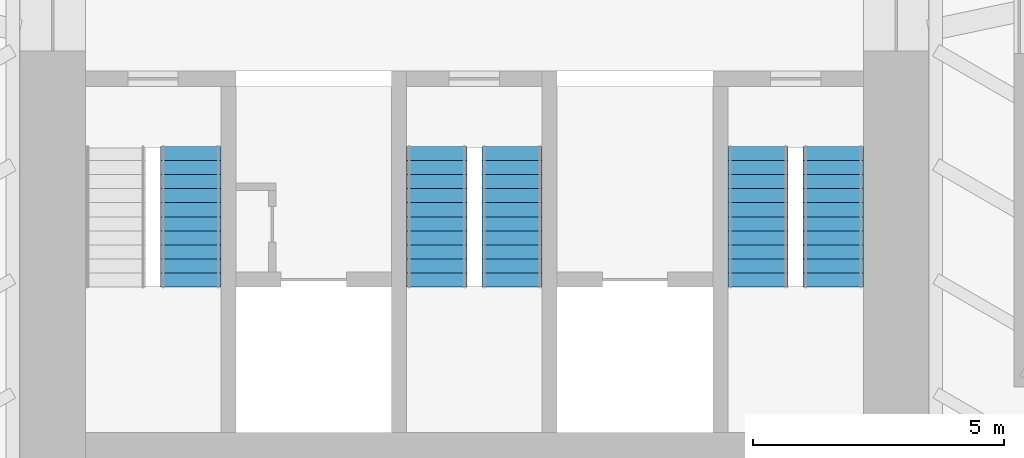
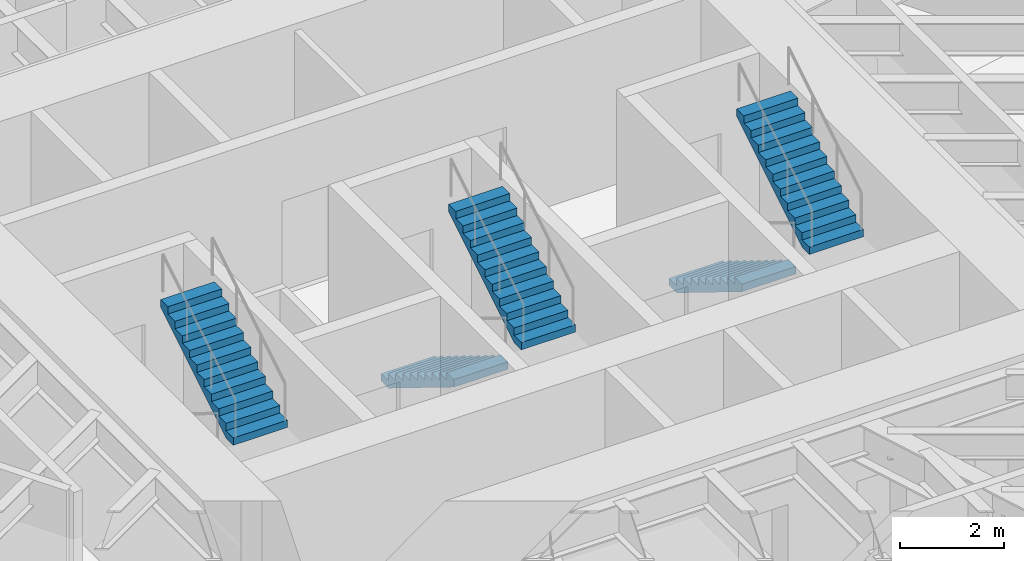
# One storey, part 16 of 17: 5 stair flights, 3 elements without a shape of their own.
"""IFC4 building model written with IfcOpenShell, lengths in metres."""

from ifc_helpers import new_model, si_unit, direction, frame, origin, place, context, subcontext, project, spatial, polyline, outline, extrude, material, type_object, element, aggregate, save


model = new_model("IFC4")

# Units and contexts
model_context = context("Model", 3, precision=1e-05, world=origin(), true_north=direction((0.0, 1.0)))
body_context = subcontext(model_context, "Body", "Model", "MODEL_VIEW")
ifc_project = project(units=[si_unit("LENGTHUNIT", "METRE"), si_unit("AREAUNIT", "SQUARE_METRE"), si_unit("VOLUMEUNIT", "CUBIC_METRE"), si_unit("PLANEANGLEUNIT", "RADIAN"), si_unit("MASSUNIT", "GRAM", prefix="KILO")], contexts=[model_context])

# Site, building, storey
site_placement = place(None, origin())
site = spatial("IfcSite", under=ifc_project, at=site_placement, CompositionType="ELEMENT")
building_placement = place(site_placement, origin())
building = spatial("IfcBuilding", under=site, at=building_placement, Name="Sandreach Pilgrim Tower", CompositionType="ELEMENT")
storey_placement = place(building_placement, frame((0.0, 0.0, 142.39990234375)))
storey = spatial("IfcBuildingStorey", under=building, at=storey_placement, Name="L35", CompositionType="ELEMENT", Elevation=142.39990234375)

# Stair, stair flight
ifc_material_1 = material(Name="Concrete 8000 psi", Category="concrete")
stair_type = type_object("IfcStairType", Name="Core exit stair", PredefinedType="HALF_TURN_STAIR", material=ifc_material_1)
stair_1_placement = place(storey_placement, origin())
stair_1 = element("IfcStair", 1, at=stair_1_placement, inside=storey, type_object=stair_type, Name="Exit stair ST1 L35", PredefinedType="HALF_TURN_STAIR")
ifc_material_2 = material(Name="Concrete 8000 psi", Category="concrete")
stair_flight_type = type_object("IfcStairFlightType", Name="Core stair flight 1200", PredefinedType="STRAIGHT", material=ifc_material_2)
stair_flight_1_placement = place(storey_placement, frame((-5.64990234375, -3.199951171875, 1.900146484375), z_axis=(0.0, 0.0, 1.0), x_axis=(0.0, 1.0, 0.0)))
stair_flight_1 = element("IfcStairFlight", 2, at=stair_flight_1_placement, type_object=stair_flight_type, Name="ST1 flight 2", NumberOfRisers=11, NumberOfTreads=10, PredefinedType="STRAIGHT", RiserHeight=0.172727273, TreadLength=0.28, context=body_context, shape_type="SweptSolid", body=[
    extrude(outline(polyline([(0.0, 0.0), (0.0, 0.172607421875), (0.280029296875, 0.172607421875), (0.280029296875, 0.345458984375), (0.56005859375, 0.345458984375), (0.56005859375, 0.51806640625), (0.840087890625, 0.51806640625), (0.840087890625, 0.69091796875), (1.1201171875, 0.69091796875), (1.1201171875, 0.863525390625), (1.39990234375, 0.863525390625), (1.39990234375, 1.036376953125), (1.679931640625, 1.036376953125), (1.679931640625, 1.208984375), (1.9599609375, 1.208984375), (1.9599609375, 1.3818359375), (2.239990234375, 1.3818359375), (2.239990234375, 1.554443359375), (2.52001953125, 1.554443359375), (2.52001953125, 1.727294921875), (2.800048828125, 1.727294921875), (2.800048828125, 1.89990234375), (2.800048828125, 1.551025390625), (0.285400390625, 0.0), (0.0, 0.0)])), frame((0.0, 0.60009765625, 0.0), z_axis=(0.0, -1.0, 0.0), x_axis=(1.0, 0.0, 0.0)), (0.0, 0.0, 1.0), 1.199951171875),
])
aggregate(stair_1, [stair_flight_1])

# Stair, stair flights
stair_2_placement = place(storey_placement, origin())
stair_2 = element("IfcStair", 3, at=stair_2_placement, inside=storey, type_object=stair_type, Name="Exit stair ST3 L35", PredefinedType="HALF_TURN_STAIR")
stair_flight_2_placement = place(storey_placement, frame((-0.75, -0.39990234375, 0.0), z_axis=(0.0, 0.0, 1.0), x_axis=(0.0, -1.0, 0.0)))
stair_flight_2 = element("IfcStairFlight", 4, at=stair_flight_2_placement, type_object=stair_flight_type, Name="ST3 flight 1", NumberOfRisers=11, NumberOfTreads=10, PredefinedType="STRAIGHT", RiserHeight=0.172727273, TreadLength=0.28, context=body_context, shape_type="SweptSolid", body=[
    extrude(outline(polyline([(0.0, 0.0), (0.0, 0.172607421875), (0.280029296875, 0.172607421875), (0.280029296875, 0.345458984375), (0.56005859375, 0.345458984375), (0.56005859375, 0.51806640625), (0.840087890625, 0.51806640625), (0.840087890625, 0.69091796875), (1.1201171875, 0.69091796875), (1.1201171875, 0.863525390625), (1.39990234375, 0.863525390625), (1.39990234375, 1.036376953125), (1.679931640625, 1.036376953125), (1.679931640625, 1.208984375), (1.9599609375, 1.208984375), (1.9599609375, 1.3818359375), (2.239990234375, 1.3818359375), (2.239990234375, 1.554443359375), (2.52001953125, 1.554443359375), (2.52001953125, 1.727294921875), (2.800048828125, 1.727294921875), (2.800048828125, 1.89990234375), (2.800048828125, 1.551025390625), (0.285400390625, 0.0), (0.0, 0.0)])), frame((0.0, 0.60009765625, 0.0), z_axis=(0.0, -1.0, 0.0), x_axis=(1.0, 0.0, 0.0)), (0.0, 0.0, 1.0), 1.199951171875),
])
stair_flight_3_placement = place(storey_placement, frame((0.75, -3.199951171875, 1.900146484375), z_axis=(0.0, 0.0, 1.0), x_axis=(0.0, 1.0, 0.0)))
stair_flight_3 = element("IfcStairFlight", 5, at=stair_flight_3_placement, type_object=stair_flight_type, Name="ST3 flight 2", NumberOfRisers=11, NumberOfTreads=10, PredefinedType="STRAIGHT", RiserHeight=0.172727273, TreadLength=0.28, context=body_context, shape_type="SweptSolid", body=[
    extrude(outline(polyline([(0.0, 0.0), (0.0, 0.172607421875), (0.280029296875, 0.172607421875), (0.280029296875, 0.345458984375), (0.56005859375, 0.345458984375), (0.56005859375, 0.51806640625), (0.840087890625, 0.51806640625), (0.840087890625, 0.69091796875), (1.1201171875, 0.69091796875), (1.1201171875, 0.863525390625), (1.39990234375, 0.863525390625), (1.39990234375, 1.036376953125), (1.679931640625, 1.036376953125), (1.679931640625, 1.208984375), (1.9599609375, 1.208984375), (1.9599609375, 1.3818359375), (2.239990234375, 1.3818359375), (2.239990234375, 1.554443359375), (2.52001953125, 1.554443359375), (2.52001953125, 1.727294921875), (2.800048828125, 1.727294921875), (2.800048828125, 1.89990234375), (2.800048828125, 1.551025390625), (0.285400390625, 0.0), (0.0, 0.0)])), frame((0.0, 0.60009765625, 0.0), z_axis=(0.0, -1.0, 0.0), x_axis=(1.0, 0.0, 0.0)), (0.0, 0.0, 1.0), 1.199951171875),
])
aggregate(stair_2, [stair_flight_2, stair_flight_3])

stair_3_placement = place(storey_placement, origin())
stair_3 = element("IfcStair", 6, at=stair_3_placement, inside=storey, type_object=stair_type, Name="Exit stair ST2 L35", PredefinedType="HALF_TURN_STAIR")
stair_flight_4_placement = place(storey_placement, frame((5.64990234375, -0.39990234375, 0.0), z_axis=(0.0, 0.0, 1.0), x_axis=(0.0, -1.0, 0.0)))
stair_flight_4 = element("IfcStairFlight", 7, at=stair_flight_4_placement, type_object=stair_flight_type, Name="ST2 flight 1", NumberOfRisers=11, NumberOfTreads=10, PredefinedType="STRAIGHT", RiserHeight=0.172727273, TreadLength=0.28, context=body_context, shape_type="SweptSolid", body=[
    extrude(outline(polyline([(0.0, 0.0), (0.0, 0.172607421875), (0.280029296875, 0.172607421875), (0.280029296875, 0.345458984375), (0.56005859375, 0.345458984375), (0.56005859375, 0.51806640625), (0.840087890625, 0.51806640625), (0.840087890625, 0.69091796875), (1.1201171875, 0.69091796875), (1.1201171875, 0.863525390625), (1.39990234375, 0.863525390625), (1.39990234375, 1.036376953125), (1.679931640625, 1.036376953125), (1.679931640625, 1.208984375), (1.9599609375, 1.208984375), (1.9599609375, 1.3818359375), (2.239990234375, 1.3818359375), (2.239990234375, 1.554443359375), (2.52001953125, 1.554443359375), (2.52001953125, 1.727294921875), (2.800048828125, 1.727294921875), (2.800048828125, 1.89990234375), (2.800048828125, 1.551025390625), (0.285400390625, 0.0), (0.0, 0.0)])), frame((0.0, 0.60009765625, 0.0), z_axis=(0.0, -1.0, 0.0), x_axis=(1.0, 0.0, 0.0)), (0.0, 0.0, 1.0), 1.199951171875),
])
stair_flight_5_placement = place(storey_placement, frame((7.14990234375, -3.199951171875, 1.900146484375), z_axis=(0.0, 0.0, 1.0), x_axis=(0.0, 1.0, 0.0)))
stair_flight_5 = element("IfcStairFlight", 8, at=stair_flight_5_placement, type_object=stair_flight_type, Name="ST2 flight 2", NumberOfRisers=11, NumberOfTreads=10, PredefinedType="STRAIGHT", RiserHeight=0.172727273, TreadLength=0.28, context=body_context, shape_type="SweptSolid", body=[
    extrude(outline(polyline([(0.0, 0.0), (0.0, 0.172607421875), (0.280029296875, 0.172607421875), (0.280029296875, 0.345458984375), (0.56005859375, 0.345458984375), (0.56005859375, 0.51806640625), (0.840087890625, 0.51806640625), (0.840087890625, 0.69091796875), (1.1201171875, 0.69091796875), (1.1201171875, 0.863525390625), (1.39990234375, 0.863525390625), (1.39990234375, 1.036376953125), (1.679931640625, 1.036376953125), (1.679931640625, 1.208984375), (1.9599609375, 1.208984375), (1.9599609375, 1.3818359375), (2.239990234375, 1.3818359375), (2.239990234375, 1.554443359375), (2.52001953125, 1.554443359375), (2.52001953125, 1.727294921875), (2.800048828125, 1.727294921875), (2.800048828125, 1.89990234375), (2.800048828125, 1.551025390625), (0.285400390625, 0.0), (0.0, 0.0)])), frame((0.0, 0.60009765625, 0.0), z_axis=(0.0, -1.0, 0.0), x_axis=(1.0, 0.0, 0.0)), (0.0, 0.0, 1.0), 1.199951171875),
])
aggregate(stair_3, [stair_flight_4, stair_flight_5])

save(model, "model.ifc")
